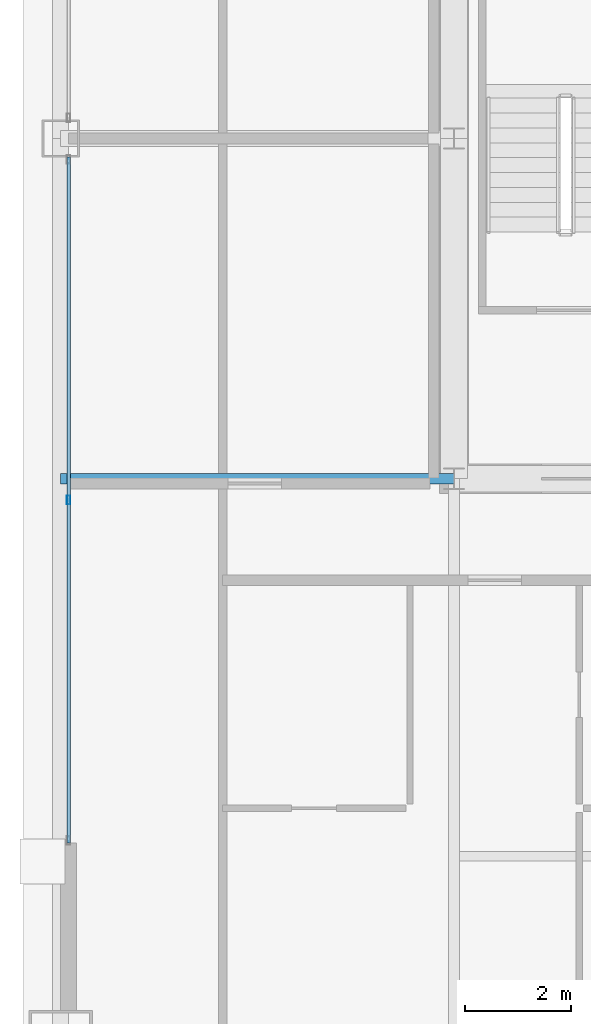
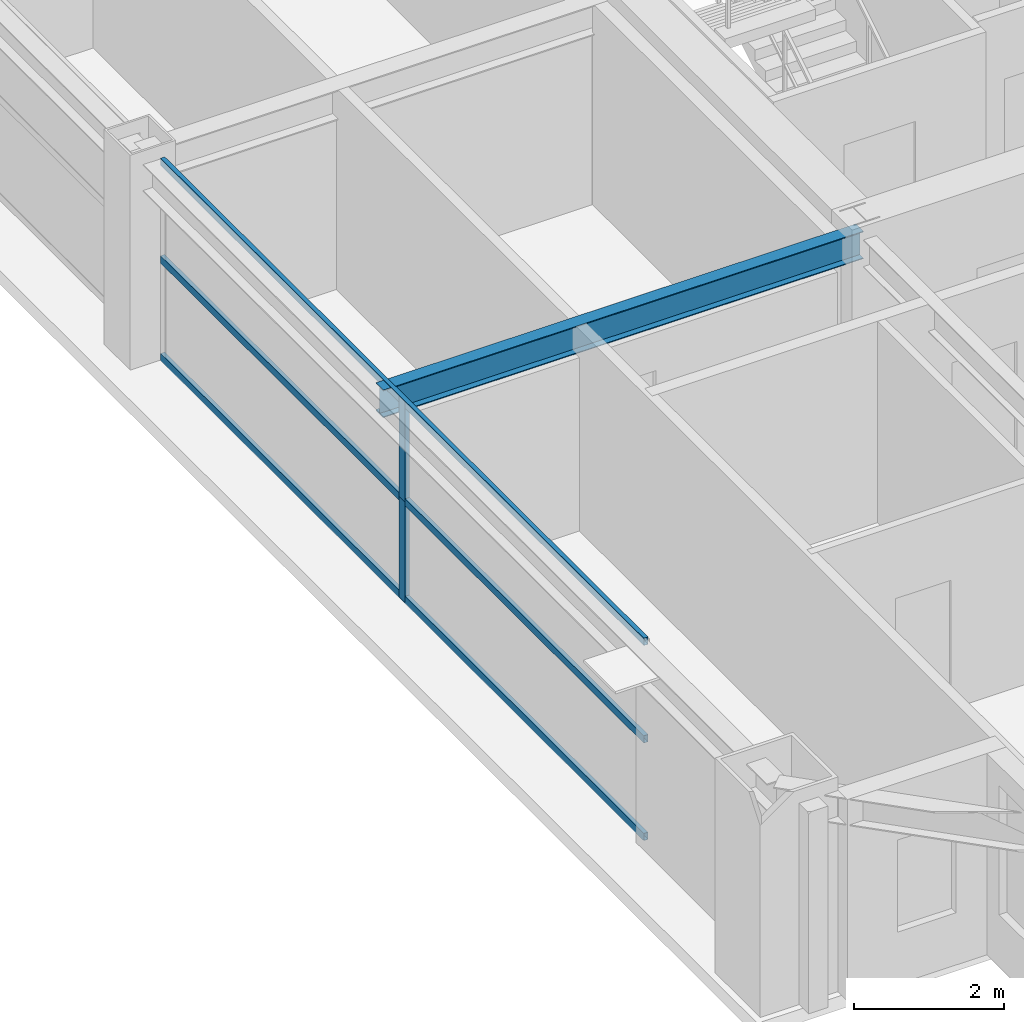
# One storey, part 7 of 37: 5 members, 1 beam, 1 element without a shape of its own.
"""IFC4 building model written with IfcOpenShell, lengths in metres."""

from ifc_helpers import new_model, si_unit, direction, frame, origin, origin_2d, place, context, subcontext, project, spatial, hollow_rectangle, i_section, extrude, source, transform, mapped, material, layer, layer_set, material_profile, profile_set, type_object, element, aggregate, save


model = new_model("IFC4")

# Units and contexts
model_context = context("Model", 3, precision=1e-05, world=origin(), true_north=direction((0.0, 1.0)))
body_context = subcontext(model_context, "Body", "Model", "MODEL_VIEW")
ifc_project = project(units=[si_unit("LENGTHUNIT", "METRE"), si_unit("AREAUNIT", "SQUARE_METRE"), si_unit("VOLUMEUNIT", "CUBIC_METRE"), si_unit("PLANEANGLEUNIT", "RADIAN"), si_unit("MASSUNIT", "GRAM", prefix="KILO"), si_unit("THERMODYNAMICTEMPERATUREUNIT", "KELVIN"), si_unit("POWERUNIT", "WATT")], contexts=[model_context])

# Site, building, storey
site_placement = place(None, origin())
site = spatial("IfcSite", under=ifc_project, at=site_placement, CompositionType="ELEMENT")
building_placement = place(site_placement, origin())
building = spatial("IfcBuilding", under=site, at=building_placement, Name="Yuzanri Waterfront Tower", CompositionType="ELEMENT")
storey_placement = place(building_placement, frame((0.0, 0.0, 245.10009765625)))
storey = spatial("IfcBuildingStorey", under=building, at=storey_placement, Name="L65", CompositionType="ELEMENT", Elevation=245.10009765625)

# Beam
ifc_material_1 = material(Name="Steel Q355B", Category="steel")
ifc_material_profile_1 = material_profile(ifc_material_1, i_section(OverallWidth=0.199951171875, OverallDepth=0.449951171875, WebThickness=0.009033203125, FlangeThickness=0.013916015625, at=origin_2d()), Name="HN 450x200x9x14")
ifc_profile_set_1 = profile_set([ifc_material_profile_1], Name="Steel Q355B")
beam_type = type_object("IfcBeamType", Name="Secondary Floor Beam Q355B HN 450x200", PredefinedType="BEAM", material=ifc_profile_set_1)
shared_shape_1 = source(origin(), body_context, "Body", "SweptSolid", [
    extrude(i_section(OverallWidth=0.199951171875, OverallDepth=0.449951171875, WebThickness=0.009033203125, FlangeThickness=0.013916015625, at=origin_2d()), origin(), (0.0, 0.0, 1.0), 7.400146484375),
])
beam_placement = place(storey_placement, frame((23.800048828125, 19.39990234375, 3.054931640625), z_axis=(-1.0, 0.0, 0.0), x_axis=(0.0, -1.0, 0.0)))
element("IfcBeam", 1, at=beam_placement, inside=storey, type_object=beam_type, Name="L65 West-South Core Line Beam", PredefinedType="BEAM", context=body_context, shape_type="MappedRepresentation", body=[
    mapped(shared_shape_1, transform((0.0, 0.0, 0.0), scale=1.0)),
])

# Curtain wall, members
ifc_material_2 = material(Name="Anodized Architectural Bronze", Category="metal")
ifc_layer = layer(ifc_material_2, 0.159912109375)
ifc_layer_set = layer_set([ifc_layer], Name="Anodized Architectural Bronze")
curtain_wall_type = type_object("IfcCurtainWallType", Name="Anodized Bronze Mid-Rise Residential Acoustic Unitized Curtain Wall 7200", PredefinedType="NOTDEFINED", material=ifc_layer_set)
curtain_wall_placement = place(storey_placement, origin())
curtain_wall = element("IfcCurtainWall", 2, at=curtain_wall_placement, inside=storey, type_object=curtain_wall_type, Name="L65 Curtain Wall CW-L65-WL", PredefinedType="NOTDEFINED")
ifc_material_3 = material(Name="Anodized Architectural Bronze", Category="metal")
ifc_material_profile_2 = material_profile(ifc_material_3, hollow_rectangle(XDim=0.06494140625, YDim=0.159912109375, WallThickness=0.00341796875, at=origin_2d()), Name="CWM 65x160")
ifc_profile_set_2 = profile_set([ifc_material_profile_2], Name="Anodized Architectural Bronze")
member_type_1 = type_object("IfcMemberType", Name="Anodized Bronze Upper-Zone Curtain-Wall Mullion 65x160", PredefinedType="MULLION", material=ifc_profile_set_2)
shared_shape_2 = source(origin(), body_context, "Body", "SweptSolid", [
    extrude(hollow_rectangle(XDim=0.06494140625, YDim=0.159912109375, WallThickness=0.00341796875, at=origin_2d()), origin(), (0.0, 0.0, 1.0), 1.637939453125),
])
member_1_placement = place(storey_placement, frame((16.550048828125, 19.0, 0.0), z_axis=(0.0, 0.0, 1.0), x_axis=(1.0, 0.0, 0.0)))
member_1 = element("IfcMember", 3, at=member_1_placement, type_object=member_type_1, Name="CW-L65-WL Lower Mullion 01", PredefinedType="MULLION", context=body_context, shape_type="MappedRepresentation", body=[
    mapped(shared_shape_2, transform((0.0, 0.0, 0.0), scale=1.0)),
])
member_2_placement = place(storey_placement, frame((16.550048828125, 19.0, 1.641845703125), z_axis=(0.0, 0.0, 1.0), x_axis=(1.0, 0.0, 0.0)))
member_2 = element("IfcMember", 4, at=member_2_placement, type_object=member_type_1, Name="CW-L65-WL Upper Mullion 01", PredefinedType="MULLION", context=body_context, shape_type="MappedRepresentation", body=[
    mapped(shared_shape_2, transform((0.0, 0.0, 0.0), scale=1.0)),
])
ifc_material_4 = material(Name="Anodized Architectural Bronze", Category="metal")
ifc_material_profile_3 = material_profile(ifc_material_4, hollow_rectangle(XDim=0.06494140625, YDim=0.1201171875, WallThickness=0.00341796875, at=origin_2d()), Name="CWT 65x120")
ifc_profile_set_3 = profile_set([ifc_material_profile_3], Name="Anodized Architectural Bronze")
member_type_2 = type_object("IfcMemberType", Name="Anodized Bronze Secondary Curtain-Wall Transom 65x120", PredefinedType="USERDEFINED", material=ifc_profile_set_3)
shared_shape_3 = source(origin(), body_context, "Body", "SweptSolid", [
    extrude(hollow_rectangle(XDim=0.06494140625, YDim=0.1201171875, WallThickness=0.00341796875, at=origin_2d()), origin(), (0.0, 0.0, 1.0), 12.89990234375),
])
member_3_placement = place(storey_placement, frame((16.550048828125, 12.550048828125, 0.0498046875), z_axis=(0.0, 1.0, 0.0), x_axis=(-1.0, 0.0, 0.0)))
member_3 = element("IfcMember", 5, at=member_3_placement, type_object=member_type_2, Name="CW-L65-WL Transom 1", ObjectType="TRANSOM", PredefinedType="USERDEFINED", context=body_context, shape_type="MappedRepresentation", body=[
    mapped(shared_shape_3, transform((0.0, 0.0, 0.0), scale=1.0)),
])
member_4_placement = place(storey_placement, frame((16.550048828125, 12.550048828125, 1.639892578125), z_axis=(0.0, 1.0, 0.0), x_axis=(-1.0, 0.0, 0.0)))
member_4 = element("IfcMember", 6, at=member_4_placement, type_object=member_type_2, Name="CW-L65-WL Transom 2", ObjectType="TRANSOM", PredefinedType="USERDEFINED", context=body_context, shape_type="MappedRepresentation", body=[
    mapped(shared_shape_3, transform((0.0, 0.0, 0.0), scale=1.0)),
])
member_5_placement = place(storey_placement, frame((16.550048828125, 12.550048828125, 3.22998046875), z_axis=(0.0, 1.0, 0.0), x_axis=(-1.0, 0.0, 0.0)))
member_5 = element("IfcMember", 7, at=member_5_placement, type_object=member_type_2, Name="CW-L65-WL Transom 3", ObjectType="TRANSOM", PredefinedType="USERDEFINED", context=body_context, shape_type="MappedRepresentation", body=[
    mapped(shared_shape_3, transform((0.0, 0.0, 0.0), scale=1.0)),
])
aggregate(curtain_wall, [member_1, member_2, member_3, member_4, member_5])

save(model, "model.ifc")
